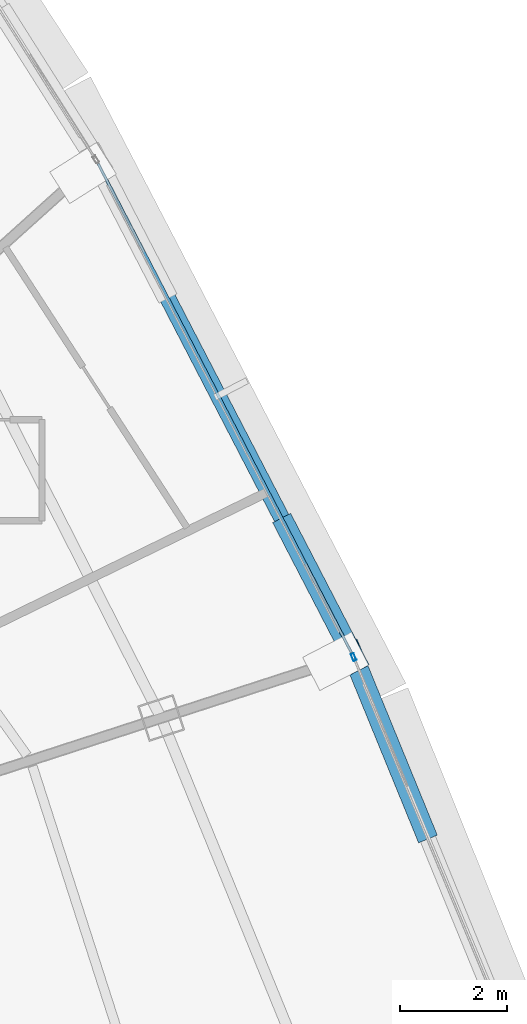
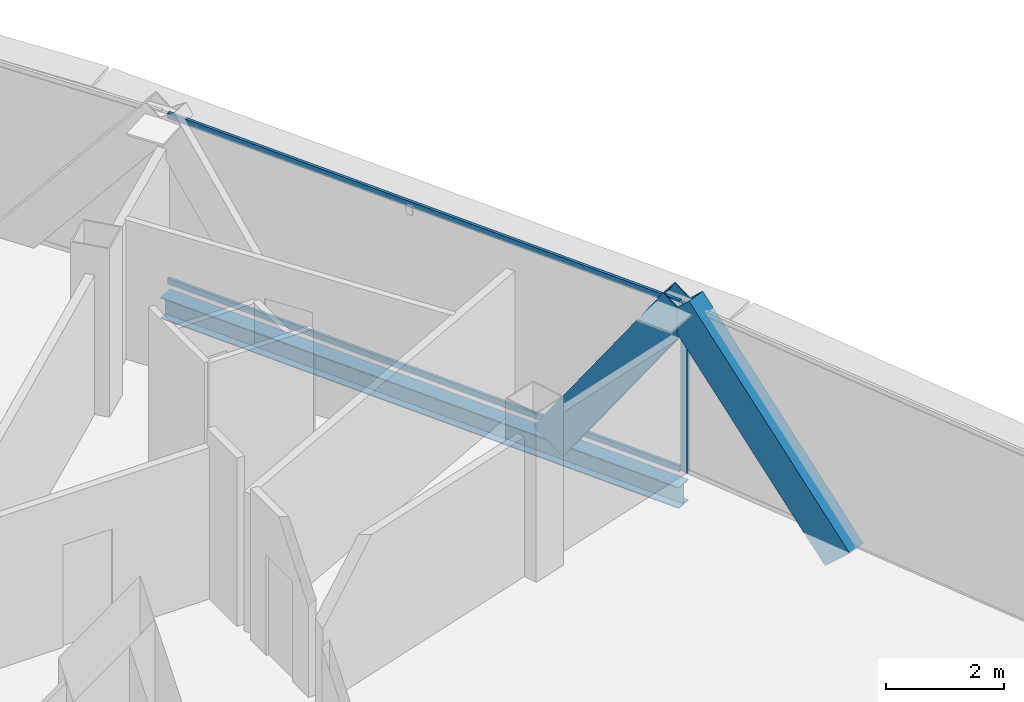
# One storey, part 19 of 34: 5 members, 1 beam, 2 elements without a shape of their own.
"""IFC4 building model written with IfcOpenShell, lengths in metres."""

from ifc_helpers import new_model, si_unit, direction, frame, origin, origin_2d, place, context, subcontext, project, spatial, hollow_rectangle, i_section, extrude, source, transform, mapped, material, layer, layer_set, material_profile, profile_set, type_object, element, aggregate, save


model = new_model("IFC4")

# Units and contexts
model_context = context("Model", 3, precision=1e-05, world=origin(), true_north=direction((0.0, 1.0)))
body_context = subcontext(model_context, "Body", "Model", "MODEL_VIEW")
ifc_project = project(units=[si_unit("LENGTHUNIT", "METRE"), si_unit("AREAUNIT", "SQUARE_METRE"), si_unit("VOLUMEUNIT", "CUBIC_METRE"), si_unit("PLANEANGLEUNIT", "RADIAN"), si_unit("MASSUNIT", "GRAM", prefix="KILO"), si_unit("THERMODYNAMICTEMPERATUREUNIT", "KELVIN"), si_unit("POWERUNIT", "WATT")], contexts=[model_context])

# Site, building, storey
site_placement = place(None, origin())
site = spatial("IfcSite", under=ifc_project, at=site_placement, CompositionType="ELEMENT")
building_placement = place(site_placement, origin())
building = spatial("IfcBuilding", under=site, at=building_placement, Name="Yunzhuo Pagoda Commons", CompositionType="ELEMENT")
storey_placement = place(building_placement, frame((0.0, 0.0, 333.010009765625)))
storey = spatial("IfcBuildingStorey", under=building, at=storey_placement, Name="L83", CompositionType="ELEMENT", Elevation=333.010009765625)

# Beam
ifc_material_1 = material(Name="Structural steel Q355B", Category="steel")
ifc_material_profile_1 = material_profile(ifc_material_1, i_section(OverallWidth=0.300048828125, OverallDepth=0.43994140625, WebThickness=0.010986328125, FlangeThickness=0.01806640625, at=origin_2d()), Name="Structural steel Q355B")
ifc_profile_set_1 = profile_set([ifc_material_profile_1], Name="Structural steel Q355B")
beam_type = type_object("IfcBeamType", Name="B-SP2 Beam HM 440x300x11x18", PredefinedType="BEAM", material=ifc_profile_set_1)
shared_shape_1 = source(origin(), body_context, "Body", "SweptSolid", [
    extrude(i_section(OverallWidth=0.300048828125, OverallDepth=0.43994140625, WebThickness=0.010986328125, FlangeThickness=0.01806640625, at=origin_2d()), origin(), (0.0, 0.0, 1.0), 10.453369140625),
])
beam_placement = place(storey_placement, frame((71.651611328125, 41.385009765625, -0.47998046875), z_axis=(-0.459938764451, 0.887950636553, 0.0), x_axis=(-0.887950636553, -0.459938764451, 0.0)))
element("IfcBeam", 1, at=beam_placement, inside=storey, type_object=beam_type, Name="L83 facade edge spandrel beam F2.2", PredefinedType="BEAM", context=body_context, shape_type="MappedRepresentation", body=[
    mapped(shared_shape_1, transform((0.0, 0.0, 0.0), scale=1.0)),
])

# Members
ifc_material_profile_2 = material_profile(ifc_material_1, hollow_rectangle(XDim=0.3798828125, YDim=0.719970703125, WallThickness=0.02001953125, at=origin_2d()), Name="Structural steel Q355B")
ifc_profile_set_2 = profile_set([ifc_material_profile_2], Name="Structural steel Q355B")
member_type_1 = type_object("IfcMemberType", Name="M-DL3 Brace BOX 720x380x20", PredefinedType="BRACE", material=ifc_profile_set_2)
shared_shape_2 = source(origin(), body_context, "Body", "SweptSolid", [
    extrude(hollow_rectangle(XDim=0.3798828125, YDim=0.719970703125, WallThickness=0.02001953125, at=origin_2d()), origin(), (0.0, 0.0, 1.0), 5.096435546875),
])
member_1_placement = place(storey_placement, frame((72.9580078125, 38.190673828125, -0.260009765625), z_axis=(-0.256338790623, 0.626786906468, 0.735818318814), x_axis=(-0.925585264707, -0.378539189196, 0.0)))
element("IfcMember", 2, at=member_1_placement, inside=storey, type_object=member_type_1, Name="L83 facade diamond brace F2.1R", PredefinedType="BRACE", context=body_context, shape_type="MappedRepresentation", body=[
    mapped(shared_shape_2, transform((0.0, 0.0, 0.0), scale=1.0)),
])
shared_shape_3 = source(origin(), body_context, "Body", "SweptSolid", [
    extrude(hollow_rectangle(XDim=0.3798828125, YDim=0.719970703125, WallThickness=0.02001953125, at=origin_2d()), origin(), (0.0, 0.0, 1.0), 4.570556640625),
])
member_2_placement = place(storey_placement, frame((70.44970703125, 43.705322265625, -0.260009765625), z_axis=(0.2629608306, -0.507653815565, 0.820450611014), x_axis=(0.887945352452, 0.459948965711, 0.0)))
element("IfcMember", 3, at=member_2_placement, inside=storey, type_object=member_type_1, Name="L83 facade diamond brace F2.2L", PredefinedType="BRACE", context=body_context, shape_type="MappedRepresentation", body=[
    mapped(shared_shape_3, transform((0.0, 0.0, 0.0), scale=1.0)),
])

# Curtain wall, member
ifc_material_2 = material(Name="Anodized aluminium 6063-T6", Category="aluminium")
ifc_layer = layer(ifc_material_2, 0.139892578125)
ifc_layer_set = layer_set([ifc_layer], Name="Anodized aluminium 6063-T6")
curtain_wall_type = type_object("IfcCurtainWallType", Name="CW-HI High-Zone Ribbon Curtain Wall", PredefinedType="NOTDEFINED", material=ifc_layer_set)
curtain_wall_1_placement = place(storey_placement, origin())
curtain_wall_1 = element("IfcCurtainWall", 4, at=curtain_wall_1_placement, inside=storey, type_object=curtain_wall_type, Name="L83 curtain wall CW-L83-F2B2", PredefinedType="NOTDEFINED")
ifc_material_profile_3 = material_profile(ifc_material_2, hollow_rectangle(XDim=0.06005859375, YDim=0.139892578125, WallThickness=0.00341796875, at=origin_2d()), Name="Anodized aluminium 6063-T6")
ifc_profile_set_3 = profile_set([ifc_material_profile_3], Name="Anodized aluminium 6063-T6")
member_type_2 = type_object("IfcMemberType", Name="CW-HI-M Mullion RHS 140x60x3.5", PredefinedType="MULLION", material=ifc_profile_set_3)
shared_shape_4 = source(origin(), body_context, "Body", "SweptSolid", [
    extrude(hollow_rectangle(XDim=0.06005859375, YDim=0.139892578125, WallThickness=0.00341796875, at=origin_2d()), origin(), (0.0, 0.0, 1.0), 3.489990234375),
])
member_3_placement = place(storey_placement, frame((71.663330078125, 41.357177734375, 0.0), z_axis=(0.0, 0.0, 1.0), x_axis=(-0.923407166951, -0.383821838909, 0.0)))
member_3 = element("IfcMember", 5, at=member_3_placement, type_object=member_type_2, Name="CW mullion 2", PredefinedType="MULLION", context=body_context, shape_type="MappedRepresentation", body=[
    mapped(shared_shape_4, transform((0.0, 0.0, 0.0), scale=1.0)),
])
aggregate(curtain_wall_1, [member_3])

# Curtain wall, members
curtain_wall_2_placement = place(storey_placement, origin())
curtain_wall_2 = element("IfcCurtainWall", 6, at=curtain_wall_2_placement, inside=storey, type_object=curtain_wall_type, Name="L83 curtain wall CW-L83-F2B3", PredefinedType="NOTDEFINED")
ifc_material_profile_4 = material_profile(ifc_material_2, hollow_rectangle(XDim=0.054931640625, YDim=0.1201171875, WallThickness=0.00341796875, at=origin_2d()), Name="Anodized aluminium 6063-T6")
ifc_profile_set_4 = profile_set([ifc_material_profile_4], Name="Anodized aluminium 6063-T6")
member_type_3 = type_object("IfcMemberType", Name="CW-HI-T Transom RHS 120x55x3.5", PredefinedType="USERDEFINED", material=ifc_profile_set_4)
shared_shape_5 = source(origin(), body_context, "Body", "SweptSolid", [
    extrude(hollow_rectangle(XDim=0.054931640625, YDim=0.1201171875, WallThickness=0.00341796875, at=origin_2d()), origin(), (0.0, 0.0, 1.0), 10.33349609375),
])
member_4_placement = place(storey_placement, frame((71.6240234375, 41.438232421875, 0.027587890625), z_axis=(-0.459926104171, 0.887957194183, 0.0), x_axis=(-0.887957194183, -0.459926104171, 0.0)))
member_4 = element("IfcMember", 7, at=member_4_placement, type_object=member_type_3, Name="CW transom 1.1", ObjectType="TRANSOM", PredefinedType="USERDEFINED", context=body_context, shape_type="MappedRepresentation", body=[
    mapped(shared_shape_5, transform((0.0, 0.0, 0.0), scale=1.0)),
])
member_5_placement = place(storey_placement, frame((71.6240234375, 41.438232421875, 3.46240234375), z_axis=(-0.459926104171, 0.887957194183, 0.0), x_axis=(-0.887957194183, -0.459926104171, 0.0)))
member_5 = element("IfcMember", 8, at=member_5_placement, type_object=member_type_3, Name="CW transom 1.2", ObjectType="TRANSOM", PredefinedType="USERDEFINED", context=body_context, shape_type="MappedRepresentation", body=[
    mapped(shared_shape_5, transform((0.0, 0.0, 0.0), scale=1.0)),
])
aggregate(curtain_wall_2, [member_4, member_5])

save(model, "model.ifc")
